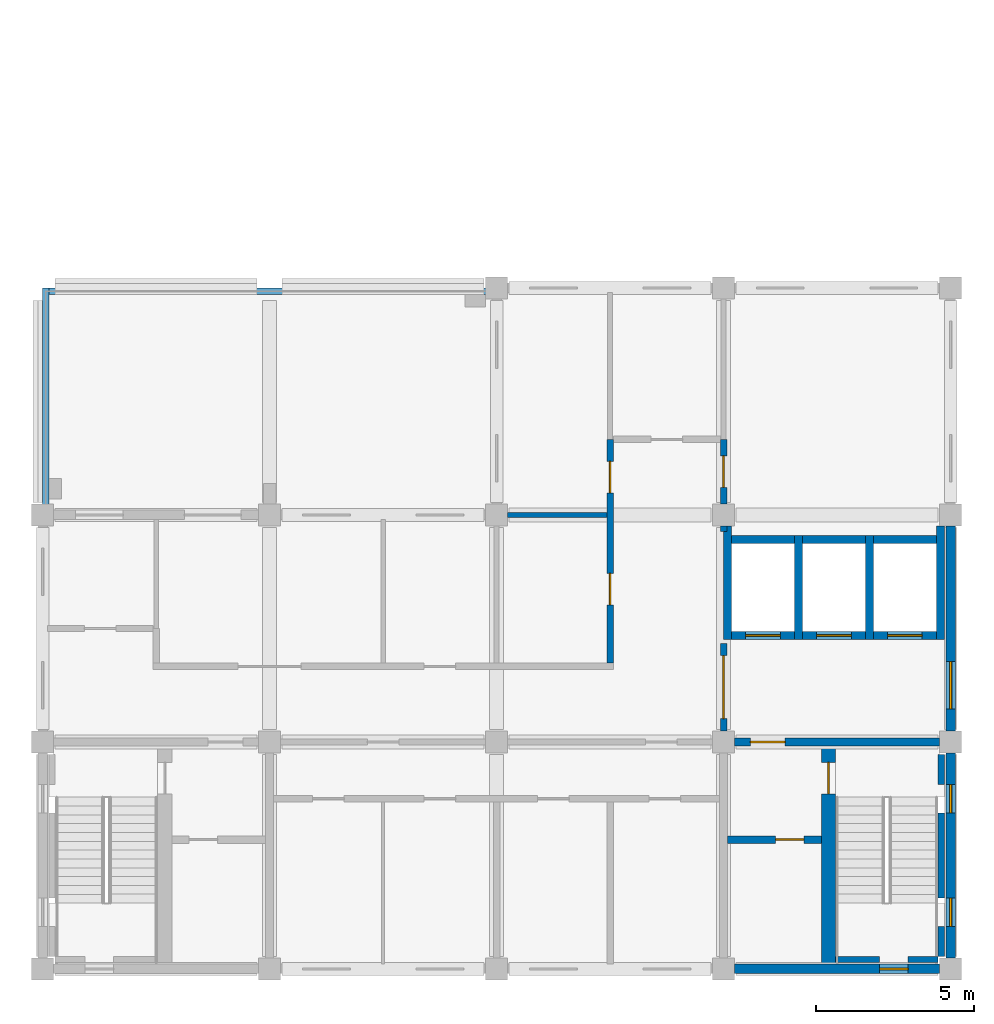
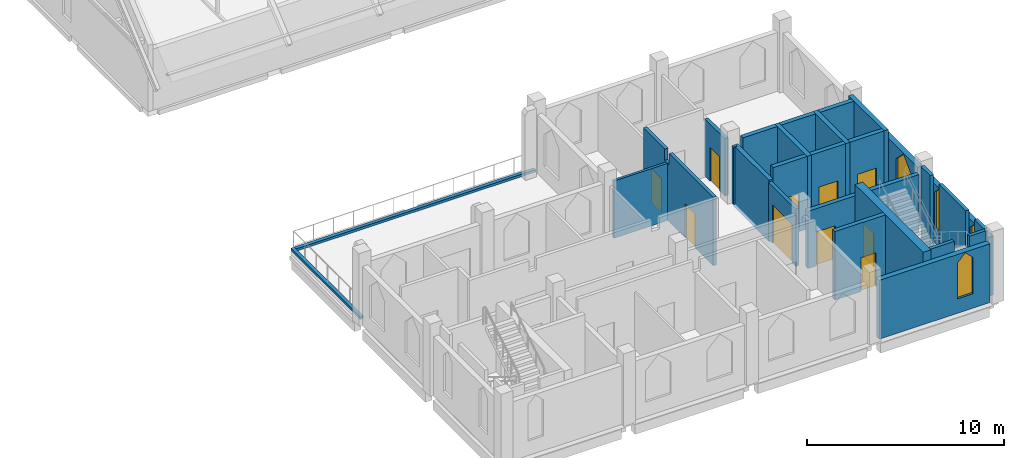
# One storey, part 26 of 29: 28 walls, 10 doors, 4 windows, 14 openings.
"""IFC4 building model written with IfcOpenShell, lengths in metres."""

from ifc_helpers import new_model, si_unit, direction, frame, frame_2d, origin, place, context, subcontext, project, spatial, polyline, rectangle, outline, extrude, material, layer, layer_set, type_object, element, fill, save


model = new_model("IFC4")

# Units and contexts
model_context = context("Model", 3, precision=1e-05, world=origin(), true_north=direction((0.0, 1.0)))
body_context = subcontext(model_context, "Body", "Model", "MODEL_VIEW")
ifc_project = project(units=[si_unit("LENGTHUNIT", "METRE"), si_unit("AREAUNIT", "SQUARE_METRE"), si_unit("VOLUMEUNIT", "CUBIC_METRE"), si_unit("PLANEANGLEUNIT", "RADIAN"), si_unit("MASSUNIT", "GRAM", prefix="KILO")], contexts=[model_context])

# Site, building, storey
site_placement = place(None, origin())
site = spatial("IfcSite", under=ifc_project, at=site_placement, CompositionType="ELEMENT")
building_placement = place(site_placement, origin())
building = spatial("IfcBuilding", under=site, at=building_placement, Name="Silangan Lancet Faculty of Sciences", CompositionType="ELEMENT")
storey_placement = place(building_placement, frame((0.0, 0.0, 54.300048828125)))
storey = spatial("IfcBuildingStorey", under=building, at=storey_placement, Name="L11", CompositionType="ELEMENT", Elevation=54.300048828125)

# Wall, opening, window
ifc_material_1 = material(Name="Concrete C40/50 precast", Category="concrete")
ifc_layer_1 = layer(ifc_material_1, 0.300048828125)
ifc_layer_set_1 = layer_set([ifc_layer_1], Name="Concrete C40/50 precast")
wall_type_1 = type_object("IfcWallType", Name="EW1 Precast cladding wall", PredefinedType="STANDARD", material=ifc_layer_set_1)
wall_1_placement = place(storey_placement, frame((28.800048828125, 7.550048828125, 0.0), z_axis=(0.0, 0.0, 1.0), x_axis=(0.0, 1.0, 0.0)))
wall_1 = element("IfcWall", 1, at=wall_1_placement, inside=storey, type_object=wall_type_1, Name="EW-L11-E-ST-01", PredefinedType="STANDARD", context=body_context, shape_type="SweptSolid", body=[
    extrude(rectangle(XDim=6.5, YDim=0.300048828125, at=frame_2d((3.25, 0.0))), origin(), (0.0, 0.0, 1.0), 3.64990234375),
])
opening_1_placement = place(wall_1_placement, frame((0.699951171875, 0.0, 0.89990234375)))
opening_1 = element("IfcOpeningElement", 2, at=opening_1_placement, cuts=wall_1, Name="Opening W23", PredefinedType="OPENING", context=body_context, shape_type="SweptSolid", body=[
    extrude(outline(polyline([(0.0, 0.0), (1.5, 0.0), (1.5, 1.949951171875), (0.75, 2.699951171875), (0.0, 1.949951171875), (0.0, 0.0)])), frame((0.0, 0.159912109375, 0.0), z_axis=(0.0, -1.0, 0.0), x_axis=(1.0, 0.0, 0.0)), (0.0, 0.0, 1.0), 0.320068359375),
])
ifc_material_2 = material(Name="Aluminium frame, laminated double glazing", Category="aluminium")
window_type_1 = type_object("IfcWindowType", Name="W23 Lancet window 1500 x 2700", PartitioningType="SINGLE_PANEL", PredefinedType="WINDOW", material=ifc_material_2)
window_1_placement = place(opening_1_placement, origin())
window_1 = element("IfcWindow", 3, at=window_1_placement, inside=storey, type_object=window_type_1, Name="WIN-L11-E-ST-01a", OverallHeight=2.699951171875, OverallWidth=1.5, PartitioningType="SINGLE_PANEL", PredefinedType="WINDOW", context=body_context, shape_type="SweptSolid", body=[
    extrude(outline(polyline([(0.0, 0.0), (1.5, 0.0), (1.5, 1.949951171875), (0.75, 2.699951171875), (0.0, 1.949951171875), (0.0, 0.0)])), frame((0.0, 0.030029296875, 0.0), z_axis=(0.0, -1.0, 0.0), x_axis=(1.0, 0.0, 0.0)), (0.0, 0.0, 1.0), 0.06005859375),
])
fill(opening_1, window_1)

ifc_material_3 = material(Name="Concrete C40/50 precast", Category="concrete")
ifc_layer_2 = layer(ifc_material_3, 0.300048828125)
ifc_layer_set_2 = layer_set([ifc_layer_2], Name="Concrete C40/50 precast")
wall_type_2 = type_object("IfcWallType", Name="EW2 Turret enclosure wall", PredefinedType="STANDARD", material=ifc_layer_set_2)
wall_2_placement = place(storey_placement, frame((21.949951171875, 0.0, 0.0), z_axis=(0.0, 0.0, 1.0), x_axis=(1.0, 0.0, 0.0)))
wall_2 = element("IfcWall", 4, at=wall_2_placement, inside=storey, type_object=wall_type_2, Name="EW-L11-S-ST-03", PredefinedType="STANDARD", context=body_context, shape_type="SweptSolid", body=[
    extrude(rectangle(XDim=6.5, YDim=0.300048828125, at=frame_2d((3.25, 0.0))), origin(), (0.0, 0.0, 1.0), 3.64990234375),
])
opening_2_placement = place(wall_2_placement, frame((4.60009765625, 0.0, 0.89990234375)))
opening_2 = element("IfcOpeningElement", 5, at=opening_2_placement, cuts=wall_2, Name="Opening W22", PredefinedType="OPENING", context=body_context, shape_type="SweptSolid", body=[
    extrude(outline(polyline([(0.0, 0.0), (0.89990234375, 0.0), (0.89990234375, 2.25), (0.449951171875, 2.699951171875), (0.0, 2.25), (0.0, 0.0)])), frame((0.0, 0.159912109375, 0.0), z_axis=(0.0, -1.0, 0.0), x_axis=(1.0, 0.0, 0.0)), (0.0, 0.0, 1.0), 0.320068359375),
])
ifc_material_4 = material(Name="Aluminium frame, laminated double glazing", Category="aluminium")
window_type_2 = type_object("IfcWindowType", Name="W22 Lancet window 900 x 2700", PartitioningType="SINGLE_PANEL", PredefinedType="WINDOW", material=ifc_material_4)
window_2_placement = place(opening_2_placement, origin())
window_2 = element("IfcWindow", 6, at=window_2_placement, inside=storey, type_object=window_type_2, Name="WIN-L11-S-ST-03b", OverallHeight=2.699951171875, OverallWidth=0.89990234375, PartitioningType="SINGLE_PANEL", PredefinedType="WINDOW", context=body_context, shape_type="SweptSolid", body=[
    extrude(outline(polyline([(0.0, 0.0), (0.89990234375, 0.0), (0.89990234375, 2.25), (0.449951171875, 2.699951171875), (0.0, 2.25), (0.0, 0.0)])), frame((0.0, 0.030029296875, 0.0), z_axis=(0.0, -1.0, 0.0), x_axis=(1.0, 0.0, 0.0)), (0.0, 0.0, 1.0), 0.06005859375),
])
fill(opening_2, window_2)

# Wall, openings, windows
wall_3_placement = place(storey_placement, frame((28.800048828125, 0.35009765625, 0.0), z_axis=(0.0, 0.0, 1.0), x_axis=(0.0, 1.0, 0.0)))
wall_3 = element("IfcWall", 7, at=wall_3_placement, inside=storey, type_object=wall_type_2, Name="EW-L11-E-ST-00", PredefinedType="STANDARD", context=body_context, shape_type="SweptSolid", body=[
    extrude(rectangle(XDim=6.5, YDim=0.300048828125, at=frame_2d((3.25, 0.0))), origin(), (0.0, 0.0, 1.0), 3.64990234375),
])
opening_3_placement = place(wall_3_placement, frame((1.0, 0.0, 0.89990234375)))
opening_3 = element("IfcOpeningElement", 8, at=opening_3_placement, cuts=wall_3, Name="Opening W22", PredefinedType="OPENING", context=body_context, shape_type="SweptSolid", body=[
    extrude(outline(polyline([(0.0, 0.0), (0.89990234375, 0.0), (0.89990234375, 2.25), (0.449951171875, 2.699951171875), (0.0, 2.25), (0.0, 0.0)])), frame((0.0, 0.159912109375, 0.0), z_axis=(0.0, -1.0, 0.0), x_axis=(1.0, 0.0, 0.0)), (0.0, 0.0, 1.0), 0.320068359375),
])
opening_4_placement = place(wall_3_placement, frame((4.60009765625, 0.0, 0.89990234375)))
opening_4 = element("IfcOpeningElement", 9, at=opening_4_placement, cuts=wall_3, Name="Opening W22", PredefinedType="OPENING", context=body_context, shape_type="SweptSolid", body=[
    extrude(outline(polyline([(0.0, 0.0), (0.89990234375, 0.0), (0.89990234375, 2.25), (0.449951171875, 2.699951171875), (0.0, 2.25), (0.0, 0.0)])), frame((0.0, 0.159912109375, 0.0), z_axis=(0.0, -1.0, 0.0), x_axis=(1.0, 0.0, 0.0)), (0.0, 0.0, 1.0), 0.320068359375),
])
window_3_placement = place(opening_3_placement, origin())
window_3 = element("IfcWindow", 10, at=window_3_placement, inside=storey, type_object=window_type_2, Name="WIN-L11-E-ST-00a", OverallHeight=2.699951171875, OverallWidth=0.89990234375, PartitioningType="SINGLE_PANEL", PredefinedType="WINDOW", context=body_context, shape_type="SweptSolid", body=[
    extrude(outline(polyline([(0.0, 0.0), (0.89990234375, 0.0), (0.89990234375, 2.25), (0.449951171875, 2.699951171875), (0.0, 2.25), (0.0, 0.0)])), frame((0.0, 0.030029296875, 0.0), z_axis=(0.0, -1.0, 0.0), x_axis=(1.0, 0.0, 0.0)), (0.0, 0.0, 1.0), 0.06005859375),
])
fill(opening_3, window_3)
window_4_placement = place(opening_4_placement, origin())
window_4 = element("IfcWindow", 11, at=window_4_placement, inside=storey, type_object=window_type_2, Name="WIN-L11-E-ST-00b", OverallHeight=2.699951171875, OverallWidth=0.89990234375, PartitioningType="SINGLE_PANEL", PredefinedType="WINDOW", context=body_context, shape_type="SweptSolid", body=[
    extrude(outline(polyline([(0.0, 0.0), (0.89990234375, 0.0), (0.89990234375, 2.25), (0.449951171875, 2.699951171875), (0.0, 2.25), (0.0, 0.0)])), frame((0.0, 0.030029296875, 0.0), z_axis=(0.0, -1.0, 0.0), x_axis=(1.0, 0.0, 0.0)), (0.0, 0.0, 1.0), 0.06005859375),
])
fill(opening_4, window_4)

# Wall, openings, doors
ifc_material_5 = material(Name="Hollow block masonry fm 7 MPa", Category="masonry")
ifc_layer_3 = layer(ifc_material_5, 0.199951171875)
ifc_layer_set_3 = layer_set([ifc_layer_3], Name="Hollow block masonry fm 7 MPa")
wall_type_3 = type_object("IfcWallType", Name="Interior wall PW1 Corridor wall CHB 200", PredefinedType="PARTITIONING", material=ifc_layer_set_3)
wall_4_placement = place(storey_placement, frame((18.0, 9.699951171875, 0.0), z_axis=(0.0, 0.0, 1.0), x_axis=(0.0, 1.0, 0.0)))
wall_4 = element("IfcWall", 12, at=wall_4_placement, inside=storey, type_object=wall_type_3, Name="Corridor wall CHB 200", PredefinedType="PARTITIONING", context=body_context, shape_type="SweptSolid", body=[
    extrude(outline(polyline([(0.0, 0.0), (7.10009765625, 0.0), (7.10009765625, 4.25), (4.925048828125, 4.25), (4.925048828125, 3.550048828125), (4.47509765625, 3.550048828125), (4.47509765625, 4.25), (0.0, 4.25), (0.0, 0.0)])), frame((0.0, 0.10009765625, 0.0), z_axis=(0.0, -1.0, 0.0), x_axis=(1.0, 0.0, 0.0)), (0.0, 0.0, 1.0), 0.199951171875),
])
opening_5_placement = place(wall_4_placement, frame((5.39990234375, 0.0, 0.0)))
opening_5 = element("IfcOpeningElement", 13, at=opening_5_placement, cuts=wall_4, Name="Opening L11-010", PredefinedType="OPENING", context=body_context, shape_type="SweptSolid", body=[
    extrude(rectangle(XDim=1.0, YDim=2.10009765625, at=frame_2d((0.5, 1.050048828125))), frame((0.0, 0.10986328125, 0.0), z_axis=(0.0, -1.0, 0.0), x_axis=(1.0, 0.0, 0.0)), (0.0, 0.0, 1.0), 0.219970703125),
])
opening_6_placement = place(wall_4_placement, frame((1.85009765625, 0.0, 0.0)))
opening_6 = element("IfcOpeningElement", 14, at=opening_6_placement, cuts=wall_4, Name="Opening L11-014", PredefinedType="OPENING", context=body_context, shape_type="SweptSolid", body=[
    extrude(rectangle(XDim=1.0, YDim=2.10009765625, at=frame_2d((0.5, 1.050048828125))), frame((0.0, 0.10986328125, 0.0), z_axis=(0.0, -1.0, 0.0), x_axis=(1.0, 0.0, 0.0)), (0.0, 0.0, 1.0), 0.219970703125),
])
ifc_material_6 = material(Name="Steel fire door set", Category="steel")
door_type_1 = type_object("IfcDoorType", Name="Door D1 Single leaf fire door 1000 x 2100", OperationType="SINGLE_SWING_LEFT", PredefinedType="DOOR", material=ifc_material_6)
door_1_placement = place(opening_5_placement, origin())
door_1 = element("IfcDoor", 15, at=door_1_placement, inside=storey, type_object=door_type_1, Name="Single leaf fire door 1000 x 2100", OperationType="SINGLE_SWING_RIGHT", OverallHeight=2.10009765625, OverallWidth=1.0, PredefinedType="DOOR", context=body_context, shape_type="SweptSolid", body=[
    extrude(rectangle(XDim=1.0, YDim=2.10009765625, at=frame_2d((0.5, 1.050048828125))), frame((0.0, 0.02490234375, 0.0), z_axis=(0.0, -1.0, 0.0), x_axis=(1.0, 0.0, 0.0)), (0.0, 0.0, 1.0), 0.050048828125),
])
fill(opening_5, door_1)
door_2_placement = place(opening_6_placement, origin())
door_2 = element("IfcDoor", 16, at=door_2_placement, inside=storey, type_object=door_type_1, Name="Single leaf fire door 1000 x 2100", OperationType="SINGLE_SWING_RIGHT", OverallHeight=2.10009765625, OverallWidth=1.0, PredefinedType="DOOR", context=body_context, shape_type="SweptSolid", body=[
    extrude(rectangle(XDim=1.0, YDim=2.10009765625, at=frame_2d((0.5, 1.050048828125))), frame((0.0, 0.02490234375, 0.0), z_axis=(0.0, -1.0, 0.0), x_axis=(1.0, 0.0, 0.0)), (0.0, 0.0, 1.0), 0.050048828125),
])
fill(opening_6, door_2)

# Wall
wall_5_placement = place(storey_placement, frame((21.60009765625, 13.875, 0.0), z_axis=(0.0, 0.0, 1.0), x_axis=(0.0, 1.0, 0.0)))
element("IfcWall", 17, at=wall_5_placement, inside=storey, type_object=wall_type_3, Name="Corridor wall CHB 200", PredefinedType="PARTITIONING", context=body_context, shape_type="SweptSolid", body=[
    extrude(rectangle(XDim=0.175048828125, YDim=0.199951171875, at=frame_2d((0.08740234375, 0.0))), origin(), (0.0, 0.0, 1.0), 3.550048828125),
])

# Wall, opening, door
wall_6_placement = place(storey_placement, frame((21.60009765625, 14.75, 0.0), z_axis=(0.0, 0.0, 1.0), x_axis=(0.0, 1.0, 0.0)))
wall_6 = element("IfcWall", 18, at=wall_6_placement, inside=storey, type_object=wall_type_3, Name="Corridor wall CHB 200", PredefinedType="PARTITIONING", context=body_context, shape_type="SweptSolid", body=[
    extrude(rectangle(XDim=2.050048828125, YDim=0.199951171875, at=frame_2d((1.02490234375, 0.0))), origin(), (0.0, 0.0, 1.0), 3.550048828125),
])
opening_7_placement = place(wall_6_placement, frame((0.52490234375, 0.0, 0.0)))
opening_7 = element("IfcOpeningElement", 19, at=opening_7_placement, cuts=wall_6, Name="Opening L11-009", PredefinedType="OPENING", context=body_context, shape_type="SweptSolid", body=[
    extrude(rectangle(XDim=1.0, YDim=2.10009765625, at=frame_2d((0.5, 1.050048828125))), frame((0.0, 0.10986328125, 0.0), z_axis=(0.0, -1.0, 0.0), x_axis=(1.0, 0.0, 0.0)), (0.0, 0.0, 1.0), 0.219970703125),
])
door_3_placement = place(opening_7_placement, frame((1.0, 0.0, 0.0), z_axis=(0.0, 0.0, 1.0), x_axis=(-1.0, 0.0, 0.0)))
door_3 = element("IfcDoor", 20, at=door_3_placement, inside=storey, type_object=door_type_1, Name="Single leaf fire door 1000 x 2100", OperationType="SINGLE_SWING_RIGHT", OverallHeight=2.10009765625, OverallWidth=1.0, PredefinedType="DOOR", context=body_context, shape_type="SweptSolid", body=[
    extrude(rectangle(XDim=1.0, YDim=2.10009765625, at=frame_2d((0.5, 1.050048828125))), frame((0.0, 0.025146484375, 0.0), z_axis=(0.0, -1.0, 0.0), x_axis=(1.0, 0.0, 0.0)), (0.0, 0.0, 1.0), 0.050048828125),
])
fill(opening_7, door_3)

# Wall
ifc_material_7 = material(Name="Hollow block masonry fm 7 MPa", Category="masonry")
ifc_layer_4 = layer(ifc_material_7, 0.14990234375)
ifc_layer_set_4 = layer_set([ifc_layer_4], Name="Hollow block masonry fm 7 MPa")
wall_type_4 = type_object("IfcWallType", Name="Interior wall PW3 Partition CHB 150", PredefinedType="PARTITIONING", material=ifc_layer_set_4)
wall_7_placement = place(storey_placement, frame((14.75, 14.39990234375, 0.0), z_axis=(0.0, 0.0, 1.0), x_axis=(1.0, 0.0, 0.0)))
element("IfcWall", 21, at=wall_7_placement, inside=storey, type_object=wall_type_4, Name="Partition CHB 150", PredefinedType="PARTITIONING", context=body_context, shape_type="SweptSolid", body=[
    extrude(rectangle(XDim=3.14990234375, YDim=0.14990234375, at=frame_2d((1.574951171875, 0.0))), origin(), (0.0, 0.0, 1.0), 3.550048828125),
])

# Wall, opening, door
ifc_material_8 = material(Name="Hollow block masonry fm 7 MPa", Category="masonry")
ifc_layer_5 = layer(ifc_material_8, 0.199951171875)
ifc_layer_set_5 = layer_set([ifc_layer_5], Name="Hollow block masonry fm 7 MPa")
wall_type_5 = type_object("IfcWallType", Name="Interior wall PW9 Lift lobby wall CHB 200", PredefinedType="PARTITIONING", material=ifc_layer_set_5)
wall_8_placement = place(storey_placement, frame((21.60009765625, 7.550048828125, 0.0), z_axis=(0.0, 0.0, 1.0), x_axis=(0.0, 1.0, 0.0)))
wall_8 = element("IfcWall", 22, at=wall_8_placement, inside=storey, type_object=wall_type_5, Name="Lift lobby wall CHB 200", PredefinedType="PARTITIONING", context=body_context, shape_type="SweptSolid", body=[
    extrude(rectangle(XDim=2.77490234375, YDim=0.199951171875, at=frame_2d((1.387451171875, 0.0))), origin(), (0.0, 0.0, 1.0), 3.550048828125),
])
opening_8_placement = place(wall_8_placement, frame((0.387451171875, 0.0, 0.0)))
opening_8 = element("IfcOpeningElement", 23, at=opening_8_placement, cuts=wall_8, Name="Opening L11-001", PredefinedType="OPENING", context=body_context, shape_type="SweptSolid", body=[
    extrude(rectangle(XDim=2.0, YDim=2.39990234375, at=frame_2d((1.0, 1.199951171875))), frame((0.0, 0.10986328125, 0.0), z_axis=(0.0, -1.0, 0.0), x_axis=(1.0, 0.0, 0.0)), (0.0, 0.0, 1.0), 0.219970703125),
])
ifc_material_9 = material(Name="Steel fire door set", Category="steel")
door_type_2 = type_object("IfcDoorType", Name="Door D5 Lift lobby double fire door 2000 x 2400", OperationType="DOUBLE_DOOR_SINGLE_SWING", PredefinedType="DOOR", material=ifc_material_9)
door_4_placement = place(opening_8_placement, origin())
door_4 = element("IfcDoor", 24, at=door_4_placement, inside=storey, type_object=door_type_2, Name="Lift lobby double fire door 2000 x 2400", OperationType="DOUBLE_DOOR_SINGLE_SWING", OverallHeight=2.39990234375, OverallWidth=2.0, PredefinedType="DOOR", context=body_context, shape_type="SweptSolid", body=[
    extrude(rectangle(XDim=2.0, YDim=2.39990234375, at=frame_2d((1.0, 1.199951171875))), frame((0.0, 0.02490234375, 0.0), z_axis=(0.0, -1.0, 0.0), x_axis=(1.0, 0.0, 0.0)), (0.0, 0.0, 1.0), 0.050048828125),
])
fill(opening_8, door_4)

# Walls
ifc_material_10 = material(Name="Concrete C40/50", Category="concrete")
ifc_layer_6 = layer(ifc_material_10, 0.25)
ifc_layer_set_6 = layer_set([ifc_layer_6], Name="Concrete C40/50")
wall_type_6 = type_object("IfcWallType", Name="LIFT SHAFT WALL RC 250", PredefinedType="SHEAR", material=ifc_layer_set_6)
wall_9_placement = place(storey_placement, frame((21.72509765625, 10.449951171875, -0.25), z_axis=(0.0, 0.0, 1.0), x_axis=(0.0, 1.0, 0.0)))
element("IfcWall", 25, at=wall_9_placement, inside=storey, type_object=wall_type_6, Name="WALL-L11-ST-SW1", PredefinedType="SHEAR", context=body_context, shape_type="SweptSolid", body=[
    extrude(rectangle(XDim=3.60009765625, YDim=0.25, at=frame_2d((1.800048828125, 0.0))), origin(), (0.0, 0.0, 1.0), 3.800048828125),
])
for number, where, z_axis, x_axis, name in (
    (26, (23.97509765625, 10.449951171875, -0.25), (0.0, 0.0, 1.0), (0.0, 1.0, 0.0), "WALL-L11-ST-SW2"),
    (27, (26.22509765625, 10.449951171875, -0.25), (0.0, 0.0, 1.0), (0.0, 1.0, 0.0), "WALL-L11-ST-SW3"),
):
    element("IfcWall", number, at=place(storey_placement, frame(where, z_axis=z_axis, x_axis=x_axis)), inside=storey, type_object=wall_type_6, Name=name, PredefinedType="SHEAR", context=body_context, shape_type="SweptSolid", body=[
        extrude(rectangle(XDim=3.300048828125, YDim=0.25, at=frame_2d((1.64990234375, 0.0))), origin(), (0.0, 0.0, 1.0), 4.5),
    ])
wall_10_placement = place(storey_placement, frame((28.47509765625, 10.449951171875, -0.25), z_axis=(0.0, 0.0, 1.0), x_axis=(0.0, 1.0, 0.0)))
element("IfcWall", 28, at=wall_10_placement, inside=storey, type_object=wall_type_6, Name="WALL-L11-ST-SW4", PredefinedType="SHEAR", context=body_context, shape_type="SweptSolid", body=[
    extrude(rectangle(XDim=3.60009765625, YDim=0.25, at=frame_2d((1.800048828125, 0.0))), origin(), (0.0, 0.0, 1.0), 4.5),
])

# Wall, opening, door
wall_11_placement = place(storey_placement, frame((21.85009765625, 10.574951171875, -0.25), z_axis=(0.0, 0.0, 1.0), x_axis=(1.0, 0.0, 0.0)))
wall_11 = element("IfcWall", 29, at=wall_11_placement, inside=storey, type_object=wall_type_6, Name="WALL-L11-ST-L1-F", PredefinedType="SHEAR", context=body_context, shape_type="SweptSolid", body=[
    extrude(rectangle(XDim=2.0, YDim=0.25, at=frame_2d((1.0, 0.0))), origin(), (0.0, 0.0, 1.0), 4.5),
])
opening_9_placement = place(wall_11_placement, frame((0.449951171875, 0.0, 0.25)))
opening_9 = element("IfcOpeningElement", 30, at=opening_9_placement, cuts=wall_11, Name="Opening L11-801", PredefinedType="OPENING", context=body_context, shape_type="SweptSolid", body=[
    extrude(rectangle(XDim=1.10009765625, YDim=2.10009765625, at=frame_2d((0.550048828125, 1.050048828125))), frame((0.0, 0.135009765625, 0.0), z_axis=(0.0, -1.0, 0.0), x_axis=(1.0, 0.0, 0.0)), (0.0, 0.0, 1.0), 0.27001953125),
])
ifc_material_11 = material(Name="Stainless steel sliding door", Category="steel")
door_type_3 = type_object("IfcDoorType", Name="LD1 Lift landing door 1100x2100", OperationType="SLIDING_TO_LEFT", PredefinedType="DOOR", material=ifc_material_11)
door_5_placement = place(opening_9_placement, origin())
door_5 = element("IfcDoor", 31, at=door_5_placement, inside=storey, type_object=door_type_3, Name="Landing door ST-L1 L11", OperationType="SLIDING_TO_LEFT", OverallHeight=2.10009765625, OverallWidth=1.10009765625, PredefinedType="DOOR", context=body_context, shape_type="SweptSolid", body=[
    extrude(rectangle(XDim=1.10009765625, YDim=2.10009765625, at=frame_2d((0.550048828125, 1.050048828125))), frame((0.0, 0.02490234375, 0.0), z_axis=(0.0, -1.0, 0.0), x_axis=(1.0, 0.0, 0.0)), (0.0, 0.0, 1.0), 0.050048828125),
])
fill(opening_9, door_5)

# Wall
wall_12_placement = place(storey_placement, frame((21.85009765625, 13.625, -0.25), z_axis=(0.0, 0.0, 1.0), x_axis=(1.0, 0.0, 0.0)))
element("IfcWall", 32, at=wall_12_placement, inside=storey, type_object=wall_type_6, Name="WALL-L11-ST-L1-B", PredefinedType="SHEAR", context=body_context, shape_type="SweptSolid", body=[
    extrude(rectangle(XDim=2.0, YDim=0.25, at=frame_2d((1.0, 0.0))), origin(), (0.0, 0.0, 1.0), 4.5),
])

# Wall, opening, door
wall_13_placement = place(storey_placement, frame((24.10009765625, 10.574951171875, -0.25), z_axis=(0.0, 0.0, 1.0), x_axis=(1.0, 0.0, 0.0)))
wall_13 = element("IfcWall", 33, at=wall_13_placement, inside=storey, type_object=wall_type_6, Name="WALL-L11-ST-L2-F", PredefinedType="SHEAR", context=body_context, shape_type="SweptSolid", body=[
    extrude(rectangle(XDim=2.0, YDim=0.25, at=frame_2d((1.0, 0.0))), origin(), (0.0, 0.0, 1.0), 4.5),
])
opening_10_placement = place(wall_13_placement, frame((0.449951171875, 0.0, 0.25)))
opening_10 = element("IfcOpeningElement", 34, at=opening_10_placement, cuts=wall_13, Name="Opening L11-802", PredefinedType="OPENING", context=body_context, shape_type="SweptSolid", body=[
    extrude(rectangle(XDim=1.10009765625, YDim=2.10009765625, at=frame_2d((0.550048828125, 1.050048828125))), frame((0.0, 0.135009765625, 0.0), z_axis=(0.0, -1.0, 0.0), x_axis=(1.0, 0.0, 0.0)), (0.0, 0.0, 1.0), 0.27001953125),
])
door_6_placement = place(opening_10_placement, origin())
door_6 = element("IfcDoor", 35, at=door_6_placement, inside=storey, type_object=door_type_3, Name="Landing door ST-L2 L11", OperationType="SLIDING_TO_LEFT", OverallHeight=2.10009765625, OverallWidth=1.10009765625, PredefinedType="DOOR", context=body_context, shape_type="SweptSolid", body=[
    extrude(rectangle(XDim=1.10009765625, YDim=2.10009765625, at=frame_2d((0.550048828125, 1.050048828125))), frame((0.0, 0.02490234375, 0.0), z_axis=(0.0, -1.0, 0.0), x_axis=(1.0, 0.0, 0.0)), (0.0, 0.0, 1.0), 0.050048828125),
])
fill(opening_10, door_6)

# Wall
wall_14_placement = place(storey_placement, frame((24.10009765625, 13.625, -0.25), z_axis=(0.0, 0.0, 1.0), x_axis=(1.0, 0.0, 0.0)))
element("IfcWall", 36, at=wall_14_placement, inside=storey, type_object=wall_type_6, Name="WALL-L11-ST-L2-B", PredefinedType="SHEAR", context=body_context, shape_type="SweptSolid", body=[
    extrude(rectangle(XDim=2.0, YDim=0.25, at=frame_2d((1.0, 0.0))), origin(), (0.0, 0.0, 1.0), 4.5),
])

# Wall, opening, door
wall_15_placement = place(storey_placement, frame((26.35009765625, 10.574951171875, -0.25), z_axis=(0.0, 0.0, 1.0), x_axis=(1.0, 0.0, 0.0)))
wall_15 = element("IfcWall", 37, at=wall_15_placement, inside=storey, type_object=wall_type_6, Name="WALL-L11-ST-L3-F", PredefinedType="SHEAR", context=body_context, shape_type="SweptSolid", body=[
    extrude(rectangle(XDim=2.0, YDim=0.25, at=frame_2d((1.0, 0.0))), origin(), (0.0, 0.0, 1.0), 4.5),
])
opening_11_placement = place(wall_15_placement, frame((0.449951171875, 0.0, 0.25)))
opening_11 = element("IfcOpeningElement", 38, at=opening_11_placement, cuts=wall_15, Name="Opening L11-803", PredefinedType="OPENING", context=body_context, shape_type="SweptSolid", body=[
    extrude(rectangle(XDim=1.10009765625, YDim=2.10009765625, at=frame_2d((0.550048828125, 1.050048828125))), frame((0.0, 0.135009765625, 0.0), z_axis=(0.0, -1.0, 0.0), x_axis=(1.0, 0.0, 0.0)), (0.0, 0.0, 1.0), 0.27001953125),
])
door_7_placement = place(opening_11_placement, origin())
door_7 = element("IfcDoor", 39, at=door_7_placement, inside=storey, type_object=door_type_3, Name="Landing door ST-L3 L11", OperationType="SLIDING_TO_LEFT", OverallHeight=2.10009765625, OverallWidth=1.10009765625, PredefinedType="DOOR", context=body_context, shape_type="SweptSolid", body=[
    extrude(rectangle(XDim=1.10009765625, YDim=2.10009765625, at=frame_2d((0.550048828125, 1.050048828125))), frame((0.0, 0.02490234375, 0.0), z_axis=(0.0, -1.0, 0.0), x_axis=(1.0, 0.0, 0.0)), (0.0, 0.0, 1.0), 0.050048828125),
])
fill(opening_11, door_7)

# Wall
wall_16_placement = place(storey_placement, frame((26.35009765625, 13.625, -0.25), z_axis=(0.0, 0.0, 1.0), x_axis=(1.0, 0.0, 0.0)))
element("IfcWall", 40, at=wall_16_placement, inside=storey, type_object=wall_type_6, Name="WALL-L11-ST-L3-B", PredefinedType="SHEAR", context=body_context, shape_type="SweptSolid", body=[
    extrude(rectangle(XDim=2.0, YDim=0.25, at=frame_2d((1.0, 0.0))), origin(), (0.0, 0.0, 1.0), 4.5),
])

# Wall, opening, door
ifc_material_12 = material(Name="Concrete C40/50", Category="concrete")
ifc_layer_7 = layer(ifc_material_12, 0.449951171875)
ifc_layer_set_7 = layer_set([ifc_layer_7], Name="Concrete C40/50")
wall_type_7 = type_object("IfcWallType", Name="TURRET CORE WALL RC 450", PredefinedType="SHEAR", material=ifc_layer_set_7)
wall_17_placement = place(storey_placement, frame((24.925048828125, 0.14990234375, 0.0), z_axis=(0.0, 0.0, 1.0), x_axis=(0.0, 1.0, 0.0)))
wall_17 = element("IfcWall", 41, at=wall_17_placement, inside=storey, type_object=wall_type_7, Name="WALL-L11-ST-B-WELL", PredefinedType="SHEAR", context=body_context, shape_type="SweptSolid", body=[
    extrude(rectangle(XDim=6.925048828125, YDim=0.449951171875, at=frame_2d((3.46240234375, 0.0))), origin(), (0.0, 0.0, 1.0), 4.25),
])
opening_12_placement = place(wall_17_placement, frame((5.39990234375, 0.0, 0.0)))
opening_12 = element("IfcOpeningElement", 42, at=opening_12_placement, cuts=wall_17, Name="Opening L11-704", PredefinedType="OPENING", context=body_context, shape_type="SweptSolid", body=[
    extrude(rectangle(XDim=1.0, YDim=2.10009765625, at=frame_2d((0.5, 1.050048828125))), frame((0.0, 0.23486328125, 0.0), z_axis=(0.0, -1.0, 0.0), x_axis=(1.0, 0.0, 0.0)), (0.0, 0.0, 1.0), 0.469970703125),
])
ifc_material_13 = material(Name="Steel fire door set", Category="steel")
door_type_4 = type_object("IfcDoorType", Name="D71 Stair enclosure door 1000x2100", OperationType="SINGLE_SWING_LEFT", PredefinedType="DOOR", material=ifc_material_13)
door_8_placement = place(opening_12_placement, frame((1.0, 0.0, 0.0), z_axis=(0.0, 0.0, 1.0), x_axis=(-1.0, 0.0, 0.0)))
door_8 = element("IfcDoor", 43, at=door_8_placement, inside=storey, type_object=door_type_4, Name="Stair enclosure door ST-B L11", OperationType="SINGLE_SWING_LEFT", OverallHeight=2.10009765625, OverallWidth=1.0, PredefinedType="DOOR", context=body_context, shape_type="SweptSolid", body=[
    extrude(rectangle(XDim=1.0, YDim=2.10009765625, at=frame_2d((0.5, 1.050048828125))), frame((0.0, 0.025146484375, 0.0), z_axis=(0.0, -1.0, 0.0), x_axis=(1.0, 0.0, 0.0)), (0.0, 0.0, 1.0), 0.050048828125),
])
fill(opening_12, door_8)

# Walls
ifc_material_14 = material(Name="Concrete C40/50", Category="concrete")
ifc_layer_8 = layer(ifc_material_14, 0.199951171875)
ifc_layer_set_8 = layer_set([ifc_layer_8], Name="Concrete C40/50")
wall_type_8 = type_object("IfcWallType", Name="TURRET LINING WALL RC 200", PredefinedType="SHEAR", material=ifc_layer_set_8)
wall_18_placement = place(storey_placement, frame((28.5, 0.39990234375, -0.25), z_axis=(0.0, 0.0, 1.0), x_axis=(0.0, 1.0, 0.0)))
element("IfcWall", 44, at=wall_18_placement, inside=storey, type_object=wall_type_8, Name="WALL-L11-ST-B-WL", PredefinedType="SHEAR", context=body_context, shape_type="SweptSolid", body=[
    extrude(rectangle(XDim=0.9501953125, YDim=0.199951171875, at=frame_2d((0.47509765625, 0.0))), origin(), (0.0, 0.0, 1.0), 4.5),
])
wall_19_placement = place(storey_placement, frame((28.5, 2.25, -0.25), z_axis=(0.0, 0.0, 1.0), x_axis=(0.0, 1.0, 0.0)))
element("IfcWall", 45, at=wall_19_placement, inside=storey, type_object=wall_type_8, Name="WALL-L11-ST-B-WL-2", PredefinedType="SHEAR", context=body_context, shape_type="SweptSolid", body=[
    extrude(rectangle(XDim=2.699951171875, YDim=0.199951171875, at=frame_2d((1.35009765625, 0.0))), origin(), (0.0, 0.0, 1.0), 4.5),
])
wall_20_placement = place(storey_placement, frame((28.5, 5.85009765625, -0.25), z_axis=(0.0, 0.0, 1.0), x_axis=(0.0, 1.0, 0.0)))
element("IfcWall", 46, at=wall_20_placement, inside=storey, type_object=wall_type_8, Name="WALL-L11-ST-B-WL-3", PredefinedType="SHEAR", context=body_context, shape_type="SweptSolid", body=[
    extrude(rectangle(XDim=0.949951171875, YDim=0.199951171875, at=frame_2d((0.47509765625, 0.0))), origin(), (0.0, 0.0, 1.0), 4.5),
])
wall_21_placement = place(storey_placement, frame((25.14990234375, 0.300048828125, -0.25), z_axis=(0.0, 0.0, 1.0), x_axis=(1.0, 0.0, 0.0)))
element("IfcWall", 47, at=wall_21_placement, inside=storey, type_object=wall_type_8, Name="WALL-L11-ST-B-WLD", PredefinedType="SHEAR", context=body_context, shape_type="SweptSolid", body=[
    extrude(rectangle(XDim=1.400146484375, YDim=0.199951171875, at=frame_2d((0.7001953125, 0.0))), origin(), (0.0, 0.0, 1.0), 4.5),
])
wall_22_placement = place(storey_placement, frame((27.449951171875, 0.300048828125, -0.25), z_axis=(0.0, 0.0, 1.0), x_axis=(1.0, 0.0, 0.0)))
element("IfcWall", 48, at=wall_22_placement, inside=storey, type_object=wall_type_8, Name="WALL-L11-ST-B-WLD-2", PredefinedType="SHEAR", context=body_context, shape_type="SweptSolid", body=[
    extrude(rectangle(XDim=0.949951171875, YDim=0.199951171875, at=frame_2d((0.47509765625, 0.0))), origin(), (0.0, 0.0, 1.0), 4.5),
])

# Wall, opening, door
ifc_material_15 = material(Name="Concrete C40/50", Category="concrete")
ifc_layer_9 = layer(ifc_material_15, 0.25)
ifc_layer_set_9 = layer_set([ifc_layer_9], Name="Concrete C40/50")
wall_type_9 = type_object("IfcWallType", Name="TURRET WALL RC 250", PredefinedType="SHEAR", material=ifc_layer_set_9)
wall_23_placement = place(storey_placement, frame((21.949951171875, 7.199951171875, 0.0), z_axis=(0.0, 0.0, 1.0), x_axis=(1.0, 0.0, 0.0)))
wall_23 = element("IfcWall", 49, at=wall_23_placement, inside=storey, type_object=wall_type_9, Name="WALL-L11-ST-B-V", PredefinedType="SHEAR", context=body_context, shape_type="SweptSolid", body=[
    extrude(rectangle(XDim=6.5, YDim=0.25, at=frame_2d((3.25, 0.0))), origin(), (0.0, 0.0, 1.0), 3.550048828125),
])
opening_13_placement = place(wall_23_placement, frame((0.5, 0.0, 0.0)))
opening_13 = element("IfcOpeningElement", 50, at=opening_13_placement, cuts=wall_23, Name="Opening L11-705", PredefinedType="OPENING", context=body_context, shape_type="SweptSolid", body=[
    extrude(rectangle(XDim=1.10009765625, YDim=2.10009765625, at=frame_2d((0.550048828125, 1.050048828125))), frame((0.0, 0.135009765625, 0.0), z_axis=(0.0, -1.0, 0.0), x_axis=(1.0, 0.0, 0.0)), (0.0, 0.0, 1.0), 0.27001953125),
])
ifc_material_16 = material(Name="Steel fire door set", Category="steel")
door_type_5 = type_object("IfcDoorType", Name="D70 Stair vestibule door 1100x2100", OperationType="SINGLE_SWING_LEFT", PredefinedType="DOOR", material=ifc_material_16)
door_9_placement = place(opening_13_placement, frame((1.10009765625, 0.0, 0.0), z_axis=(0.0, 0.0, 1.0), x_axis=(-1.0, 0.0, 0.0)))
door_9 = element("IfcDoor", 51, at=door_9_placement, inside=storey, type_object=door_type_5, Name="Stair vestibule door ST-B L11", OperationType="SINGLE_SWING_RIGHT", OverallHeight=2.10009765625, OverallWidth=1.10009765625, PredefinedType="DOOR", context=body_context, shape_type="SweptSolid", body=[
    extrude(rectangle(XDim=1.10009765625, YDim=2.10009765625, at=frame_2d((0.550048828125, 1.050048828125))), frame((0.0, 0.025146484375, 0.0), z_axis=(0.0, -1.0, 0.0), x_axis=(1.0, 0.0, 0.0)), (0.0, 0.0, 1.0), 0.050048828125),
])
fill(opening_13, door_9)

wall_24_placement = place(storey_placement, frame((21.72509765625, 4.10009765625, 0.0), z_axis=(0.0, 0.0, 1.0), x_axis=(1.0, 0.0, 0.0)))
wall_24 = element("IfcWall", 52, at=wall_24_placement, inside=storey, type_object=wall_type_9, Name="WALL-L11-ST-B-RISER", PredefinedType="SHEAR", context=body_context, shape_type="SweptSolid", body=[
    extrude(rectangle(XDim=2.974853515625, YDim=0.25, at=frame_2d((1.4873046875, 0.0))), origin(), (0.0, 0.0, 1.0), 4.25),
])
opening_14_placement = place(wall_24_placement, frame((1.52490234375, 0.0, 0.0)))
opening_14 = element("IfcOpeningElement", 53, at=opening_14_placement, cuts=wall_24, Name="Opening L11-706", PredefinedType="OPENING", context=body_context, shape_type="SweptSolid", body=[
    extrude(rectangle(XDim=0.89990234375, YDim=2.10009765625, at=frame_2d((0.449951171875, 1.050048828125))), frame((0.0, 0.135009765625, 0.0), z_axis=(0.0, -1.0, 0.0), x_axis=(1.0, 0.0, 0.0)), (0.0, 0.0, 1.0), 0.27001953125),
])
ifc_material_17 = material(Name="Steel fire door set", Category="steel")
door_type_6 = type_object("IfcDoorType", Name="D72 Riser access door 900x2100", OperationType="SINGLE_SWING_LEFT", PredefinedType="DOOR", material=ifc_material_17)
door_10_placement = place(opening_14_placement, frame((0.89990234375, 0.0, 0.0), z_axis=(0.0, 0.0, 1.0), x_axis=(-1.0, 0.0, 0.0)))
door_10 = element("IfcDoor", 54, at=door_10_placement, inside=storey, type_object=door_type_6, Name="Riser access door ST-B L11", OperationType="SINGLE_SWING_RIGHT", OverallHeight=2.10009765625, OverallWidth=0.89990234375, PredefinedType="DOOR", context=body_context, shape_type="SweptSolid", body=[
    extrude(rectangle(XDim=0.89990234375, YDim=2.10009765625, at=frame_2d((0.449951171875, 1.050048828125))), frame((0.0, 0.025146484375, 0.0), z_axis=(0.0, -1.0, 0.0), x_axis=(1.0, 0.0, 0.0)), (0.0, 0.0, 1.0), 0.050048828125),
])
fill(opening_14, door_10)

# Walls
ifc_material_18 = material(Name="Concrete C35/45", Category="concrete")
ifc_layer_10 = layer(ifc_material_18, 0.199951171875)
ifc_layer_set_10 = layer_set([ifc_layer_10], Name="Concrete C35/45")
wall_type_10 = type_object("IfcWallType", Name="Terrace kerb 200", PredefinedType="STANDARD", material=ifc_layer_set_10)
wall_25_placement = place(storey_placement, frame((0.10009765625, 14.550048828125, 0.0), z_axis=(0.0, 0.0, 1.0), x_axis=(0.0, 1.0, 0.0)))
element("IfcWall", 55, at=wall_25_placement, inside=storey, type_object=wall_type_10, Name="Terrace kerb ST-T1 W", PredefinedType="STANDARD", context=body_context, shape_type="SweptSolid", body=[
    extrude(rectangle(XDim=7.050048828125, YDim=0.199951171875, at=frame_2d((3.52490234375, 0.0))), origin(), (0.0, 0.0, 1.0), 0.14990234375),
])
wall_26_placement = place(storey_placement, frame((0.199951171875, 21.5, 0.0), z_axis=(0.0, 0.0, 1.0), x_axis=(1.0, 0.0, 0.0)))
element("IfcWall", 56, at=wall_26_placement, inside=storey, type_object=wall_type_10, Name="Terrace kerb ST-T1 N", PredefinedType="STANDARD", context=body_context, shape_type="SweptSolid", body=[
    extrude(rectangle(XDim=14.050048828125, YDim=0.199951171875, at=frame_2d((7.02490234375, 0.0))), origin(), (0.0, 0.0, 1.0), 0.14990234375),
])

save(model, "model.ifc")
